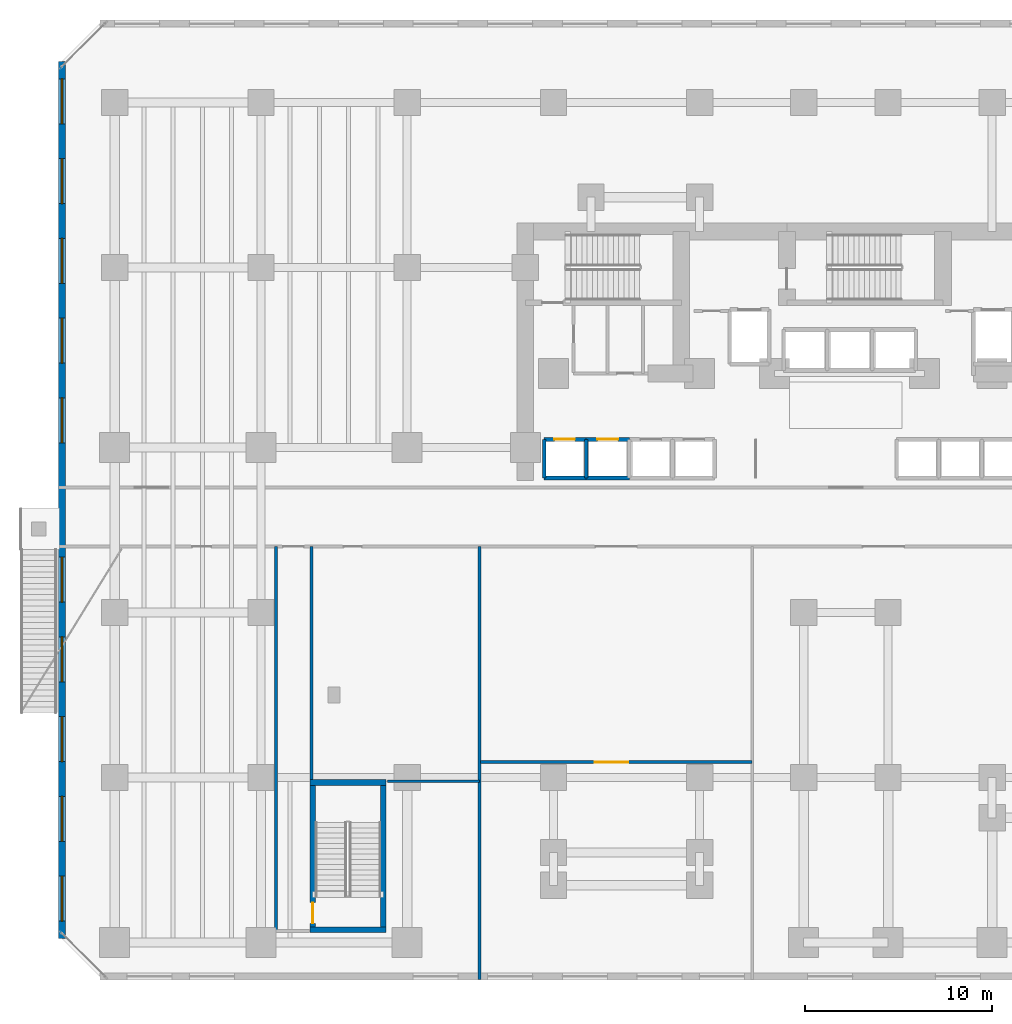
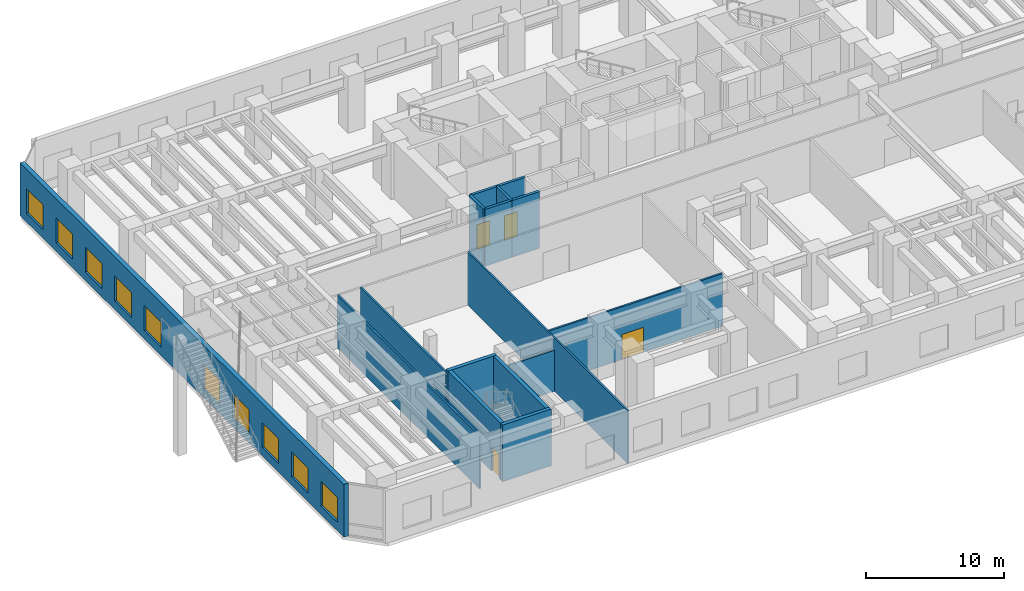
# One storey, part 10 of 19: 16 walls, 10 windows, 4 doors, 14 openings.
"""IFC4 building model written with IfcOpenShell, lengths in metres."""

from ifc_helpers import new_model, si_unit, direction, frame, frame_2d, origin, place, context, subcontext, project, spatial, rectangle, extrude, material, layer, layer_set, type_object, element, fill, save


model = new_model("IFC4")

# Units and contexts
model_context = context("Model", 3, precision=1e-05, world=origin(), true_north=direction((0.0, 1.0)))
body_context = subcontext(model_context, "Body", "Model", "MODEL_VIEW")
ifc_project = project(units=[si_unit("LENGTHUNIT", "METRE"), si_unit("AREAUNIT", "SQUARE_METRE"), si_unit("VOLUMEUNIT", "CUBIC_METRE"), si_unit("PLANEANGLEUNIT", "RADIAN"), si_unit("MASSUNIT", "GRAM", prefix="KILO")], contexts=[model_context])

# Site, building, storey
site_placement = place(None, origin())
site = spatial("IfcSite", under=ifc_project, at=site_placement, CompositionType="ELEMENT")
building_placement = place(site_placement, origin())
building = spatial("IfcBuilding", under=site, at=building_placement, Name="Kestravale Grand Hotel", CompositionType="ELEMENT")
storey_placement = place(building_placement, frame((0.0, 0.0, 5.39990234375)))
storey = spatial("IfcBuildingStorey", under=building, at=storey_placement, Name="L01", CompositionType="ELEMENT", Elevation=5.39990234375)

# Wall, openings, windows
ifc_material_1 = material(Name="Precast concrete f'c 45 MPa", Category="concrete")
ifc_layer_1 = layer(ifc_material_1, 0.3798828125)
ifc_layer_set_1 = layer_set([ifc_layer_1], Name="EW-POD-380")
wall_type_1 = type_object("IfcWallType", Name="EW-POD-380", PredefinedType="SOLIDWALL", material=ifc_layer_set_1)
wall_1_placement = place(storey_placement, frame((-2.81005859375, 49.389892578125, 0.0), z_axis=(0.0, 0.0, 1.0), x_axis=(0.0, -1.0, 0.0)))
wall_1 = element("IfcWall", 1, at=wall_1_placement, inside=storey, type_object=wall_type_1, Name="L01 fluted precast facade wall 7", PredefinedType="SOLIDWALL", context=body_context, shape_type="SweptSolid", body=[
    extrude(rectangle(XDim=46.77978515625, YDim=0.3798828125, at=frame_2d((23.389892578125, 0.0))), origin(), (0.0, 0.0, 1.0), 4.650146484375),
])
opening_1_placement = place(wall_1_placement, frame((0.926513671875, 0.0, 0.75)))
opening_1 = element("IfcOpeningElement", 2, at=opening_1_placement, cuts=wall_1, Name="Opening W-POD-2400", PredefinedType="OPENING", context=body_context, shape_type="SweptSolid", body=[
    extrude(rectangle(XDim=2.39990234375, YDim=2.199951171875, at=frame_2d((1.199951171875, 1.10009765625))), frame((0.0, 0.199951171875, 0.0), z_axis=(0.0, -1.0, 0.0), x_axis=(1.0, 0.0, 0.0)), (0.0, 0.0, 1.0), 0.39990234375),
])
opening_2_placement = place(wall_1_placement, frame((5.17919921875, 0.0, 0.75)))
opening_2 = element("IfcOpeningElement", 3, at=opening_2_placement, cuts=wall_1, Name="Opening W-POD-2400", PredefinedType="OPENING", context=body_context, shape_type="SweptSolid", body=[
    extrude(rectangle(XDim=2.39990234375, YDim=2.199951171875, at=frame_2d((1.199951171875, 1.10009765625))), frame((0.0, 0.199951171875, 0.0), z_axis=(0.0, -1.0, 0.0), x_axis=(1.0, 0.0, 0.0)), (0.0, 0.0, 1.0), 0.39990234375),
])
opening_3_placement = place(wall_1_placement, frame((9.431884765625, 0.0, 0.75)))
opening_3 = element("IfcOpeningElement", 4, at=opening_3_placement, cuts=wall_1, Name="Opening W-POD-2400", PredefinedType="OPENING", context=body_context, shape_type="SweptSolid", body=[
    extrude(rectangle(XDim=2.39990234375, YDim=2.199951171875, at=frame_2d((1.199951171875, 1.10009765625))), frame((0.0, 0.199951171875, 0.0), z_axis=(0.0, -1.0, 0.0), x_axis=(1.0, 0.0, 0.0)), (0.0, 0.0, 1.0), 0.39990234375),
])
opening_4_placement = place(wall_1_placement, frame((13.6845703125, 0.0, 0.75)))
opening_4 = element("IfcOpeningElement", 5, at=opening_4_placement, cuts=wall_1, Name="Opening W-POD-2400", PredefinedType="OPENING", context=body_context, shape_type="SweptSolid", body=[
    extrude(rectangle(XDim=2.39990234375, YDim=2.199951171875, at=frame_2d((1.199951171875, 1.10009765625))), frame((0.0, 0.199951171875, 0.0), z_axis=(0.0, -1.0, 0.0), x_axis=(1.0, 0.0, 0.0)), (0.0, 0.0, 1.0), 0.39990234375),
])
opening_5_placement = place(wall_1_placement, frame((17.937255859375, 0.0, 0.75)))
opening_5 = element("IfcOpeningElement", 6, at=opening_5_placement, cuts=wall_1, Name="Opening W-POD-2400", PredefinedType="OPENING", context=body_context, shape_type="SweptSolid", body=[
    extrude(rectangle(XDim=2.39990234375, YDim=2.199951171875, at=frame_2d((1.199951171875, 1.10009765625))), frame((0.0, 0.199951171875, 0.0), z_axis=(0.0, -1.0, 0.0), x_axis=(1.0, 0.0, 0.0)), (0.0, 0.0, 1.0), 0.39990234375),
])
opening_6_placement = place(wall_1_placement, frame((26.442626953125, 0.0, 0.75)))
opening_6 = element("IfcOpeningElement", 7, at=opening_6_placement, cuts=wall_1, Name="Opening W-POD-2400", PredefinedType="OPENING", context=body_context, shape_type="SweptSolid", body=[
    extrude(rectangle(XDim=2.39990234375, YDim=2.199951171875, at=frame_2d((1.199951171875, 1.10009765625))), frame((0.0, 0.199951171875, 0.0), z_axis=(0.0, -1.0, 0.0), x_axis=(1.0, 0.0, 0.0)), (0.0, 0.0, 1.0), 0.39990234375),
])
opening_7_placement = place(wall_1_placement, frame((30.695556640625, 0.0, 0.75)))
opening_7 = element("IfcOpeningElement", 8, at=opening_7_placement, cuts=wall_1, Name="Opening W-POD-2400", PredefinedType="OPENING", context=body_context, shape_type="SweptSolid", body=[
    extrude(rectangle(XDim=2.39990234375, YDim=2.199951171875, at=frame_2d((1.199951171875, 1.10009765625))), frame((0.0, 0.199951171875, 0.0), z_axis=(0.0, -1.0, 0.0), x_axis=(1.0, 0.0, 0.0)), (0.0, 0.0, 1.0), 0.39990234375),
])
opening_8_placement = place(wall_1_placement, frame((34.9482421875, 0.0, 0.75)))
opening_8 = element("IfcOpeningElement", 9, at=opening_8_placement, cuts=wall_1, Name="Opening W-POD-2400", PredefinedType="OPENING", context=body_context, shape_type="SweptSolid", body=[
    extrude(rectangle(XDim=2.39990234375, YDim=2.199951171875, at=frame_2d((1.199951171875, 1.10009765625))), frame((0.0, 0.199951171875, 0.0), z_axis=(0.0, -1.0, 0.0), x_axis=(1.0, 0.0, 0.0)), (0.0, 0.0, 1.0), 0.39990234375),
])
opening_9_placement = place(wall_1_placement, frame((39.200927734375, 0.0, 0.75)))
opening_9 = element("IfcOpeningElement", 10, at=opening_9_placement, cuts=wall_1, Name="Opening W-POD-2400", PredefinedType="OPENING", context=body_context, shape_type="SweptSolid", body=[
    extrude(rectangle(XDim=2.39990234375, YDim=2.199951171875, at=frame_2d((1.199951171875, 1.10009765625))), frame((0.0, 0.199951171875, 0.0), z_axis=(0.0, -1.0, 0.0), x_axis=(1.0, 0.0, 0.0)), (0.0, 0.0, 1.0), 0.39990234375),
])
opening_10_placement = place(wall_1_placement, frame((43.45361328125, 0.0, 0.75)))
opening_10 = element("IfcOpeningElement", 11, at=opening_10_placement, cuts=wall_1, Name="Opening W-POD-2400", PredefinedType="OPENING", context=body_context, shape_type="SweptSolid", body=[
    extrude(rectangle(XDim=2.39990234375, YDim=2.199951171875, at=frame_2d((1.199951171875, 1.10009765625))), frame((0.0, 0.199951171875, 0.0), z_axis=(0.0, -1.0, 0.0), x_axis=(1.0, 0.0, 0.0)), (0.0, 0.0, 1.0), 0.39990234375),
])
ifc_material_2 = material(Name="Insulated low-E double glazing in aluminium frame", Category="aluminium")
window_type = type_object("IfcWindowType", Name="W-POD-2400", PartitioningType="DOUBLE_PANEL_VERTICAL", PredefinedType="WINDOW", material=ifc_material_2)
window_1_placement = place(opening_1_placement, origin())
window_1 = element("IfcWindow", 12, at=window_1_placement, inside=storey, type_object=window_type, Name="L01 exterior window 7.1", OverallHeight=2.199951171875, OverallWidth=2.39990234375, PartitioningType="SINGLE_PANEL", PredefinedType="WINDOW", context=body_context, shape_type="SweptSolid", body=[
    extrude(rectangle(XDim=2.39990234375, YDim=2.199951171875, at=frame_2d((1.199951171875, 1.10009765625))), frame((0.0, 0.030029296875, 0.0), z_axis=(0.0, -1.0, 0.0), x_axis=(1.0, 0.0, 0.0)), (0.0, 0.0, 1.0), 0.06005859375),
])
fill(opening_1, window_1)
window_2_placement = place(opening_2_placement, origin())
window_2 = element("IfcWindow", 13, at=window_2_placement, inside=storey, type_object=window_type, Name="L01 exterior window 7.2", OverallHeight=2.199951171875, OverallWidth=2.39990234375, PartitioningType="SINGLE_PANEL", PredefinedType="WINDOW", context=body_context, shape_type="SweptSolid", body=[
    extrude(rectangle(XDim=2.39990234375, YDim=2.199951171875, at=frame_2d((1.199951171875, 1.10009765625))), frame((0.0, 0.030029296875, 0.0), z_axis=(0.0, -1.0, 0.0), x_axis=(1.0, 0.0, 0.0)), (0.0, 0.0, 1.0), 0.06005859375),
])
fill(opening_2, window_2)
window_3_placement = place(opening_3_placement, origin())
window_3 = element("IfcWindow", 14, at=window_3_placement, inside=storey, type_object=window_type, Name="L01 exterior window 7.3", OverallHeight=2.199951171875, OverallWidth=2.39990234375, PartitioningType="SINGLE_PANEL", PredefinedType="WINDOW", context=body_context, shape_type="SweptSolid", body=[
    extrude(rectangle(XDim=2.39990234375, YDim=2.199951171875, at=frame_2d((1.199951171875, 1.10009765625))), frame((0.0, 0.030029296875, 0.0), z_axis=(0.0, -1.0, 0.0), x_axis=(1.0, 0.0, 0.0)), (0.0, 0.0, 1.0), 0.06005859375),
])
fill(opening_3, window_3)
window_4_placement = place(opening_4_placement, origin())
window_4 = element("IfcWindow", 15, at=window_4_placement, inside=storey, type_object=window_type, Name="L01 exterior window 7.4", OverallHeight=2.199951171875, OverallWidth=2.39990234375, PartitioningType="SINGLE_PANEL", PredefinedType="WINDOW", context=body_context, shape_type="SweptSolid", body=[
    extrude(rectangle(XDim=2.39990234375, YDim=2.199951171875, at=frame_2d((1.199951171875, 1.10009765625))), frame((0.0, 0.030029296875, 0.0), z_axis=(0.0, -1.0, 0.0), x_axis=(1.0, 0.0, 0.0)), (0.0, 0.0, 1.0), 0.06005859375),
])
fill(opening_4, window_4)
window_5_placement = place(opening_5_placement, origin())
window_5 = element("IfcWindow", 16, at=window_5_placement, inside=storey, type_object=window_type, Name="L01 exterior window 7.5", OverallHeight=2.199951171875, OverallWidth=2.39990234375, PartitioningType="SINGLE_PANEL", PredefinedType="WINDOW", context=body_context, shape_type="SweptSolid", body=[
    extrude(rectangle(XDim=2.39990234375, YDim=2.199951171875, at=frame_2d((1.199951171875, 1.10009765625))), frame((0.0, 0.030029296875, 0.0), z_axis=(0.0, -1.0, 0.0), x_axis=(1.0, 0.0, 0.0)), (0.0, 0.0, 1.0), 0.06005859375),
])
fill(opening_5, window_5)
window_6_placement = place(opening_6_placement, origin())
window_6 = element("IfcWindow", 17, at=window_6_placement, inside=storey, type_object=window_type, Name="L01 exterior window 7.6", OverallHeight=2.199951171875, OverallWidth=2.39990234375, PartitioningType="SINGLE_PANEL", PredefinedType="WINDOW", context=body_context, shape_type="SweptSolid", body=[
    extrude(rectangle(XDim=2.39990234375, YDim=2.199951171875, at=frame_2d((1.199951171875, 1.10009765625))), frame((0.0, 0.030029296875, 0.0), z_axis=(0.0, -1.0, 0.0), x_axis=(1.0, 0.0, 0.0)), (0.0, 0.0, 1.0), 0.06005859375),
])
fill(opening_6, window_6)
window_7_placement = place(opening_7_placement, origin())
window_7 = element("IfcWindow", 18, at=window_7_placement, inside=storey, type_object=window_type, Name="L01 exterior window 7.7", OverallHeight=2.199951171875, OverallWidth=2.39990234375, PartitioningType="SINGLE_PANEL", PredefinedType="WINDOW", context=body_context, shape_type="SweptSolid", body=[
    extrude(rectangle(XDim=2.39990234375, YDim=2.199951171875, at=frame_2d((1.199951171875, 1.10009765625))), frame((0.0, 0.030029296875, 0.0), z_axis=(0.0, -1.0, 0.0), x_axis=(1.0, 0.0, 0.0)), (0.0, 0.0, 1.0), 0.06005859375),
])
fill(opening_7, window_7)
window_8_placement = place(opening_8_placement, origin())
window_8 = element("IfcWindow", 19, at=window_8_placement, inside=storey, type_object=window_type, Name="L01 exterior window 7.8", OverallHeight=2.199951171875, OverallWidth=2.39990234375, PartitioningType="SINGLE_PANEL", PredefinedType="WINDOW", context=body_context, shape_type="SweptSolid", body=[
    extrude(rectangle(XDim=2.39990234375, YDim=2.199951171875, at=frame_2d((1.199951171875, 1.10009765625))), frame((0.0, 0.030029296875, 0.0), z_axis=(0.0, -1.0, 0.0), x_axis=(1.0, 0.0, 0.0)), (0.0, 0.0, 1.0), 0.06005859375),
])
fill(opening_8, window_8)
window_9_placement = place(opening_9_placement, origin())
window_9 = element("IfcWindow", 20, at=window_9_placement, inside=storey, type_object=window_type, Name="L01 exterior window 7.9", OverallHeight=2.199951171875, OverallWidth=2.39990234375, PartitioningType="SINGLE_PANEL", PredefinedType="WINDOW", context=body_context, shape_type="SweptSolid", body=[
    extrude(rectangle(XDim=2.39990234375, YDim=2.199951171875, at=frame_2d((1.199951171875, 1.10009765625))), frame((0.0, 0.030029296875, 0.0), z_axis=(0.0, -1.0, 0.0), x_axis=(1.0, 0.0, 0.0)), (0.0, 0.0, 1.0), 0.06005859375),
])
fill(opening_9, window_9)
window_10_placement = place(opening_10_placement, origin())
window_10 = element("IfcWindow", 21, at=window_10_placement, inside=storey, type_object=window_type, Name="L01 exterior window 7.10", OverallHeight=2.199951171875, OverallWidth=2.39990234375, PartitioningType="SINGLE_PANEL", PredefinedType="WINDOW", context=body_context, shape_type="SweptSolid", body=[
    extrude(rectangle(XDim=2.39990234375, YDim=2.199951171875, at=frame_2d((1.199951171875, 1.10009765625))), frame((0.0, 0.030029296875, 0.0), z_axis=(0.0, -1.0, 0.0), x_axis=(1.0, 0.0, 0.0)), (0.0, 0.0, 1.0), 0.06005859375),
])
fill(opening_10, window_10)

# Wall, opening, door
ifc_material_3 = material(Name="Concrete f'c 45 MPa", Category="concrete")
ifc_layer_2 = layer(ifc_material_3, 0.300048828125)
ifc_layer_set_2 = layer_set([ifc_layer_2], Name="EW-STAIR-300")
wall_type_2 = type_object("IfcWallType", Name="EW-STAIR-300", PredefinedType="SHEAR", material=ifc_layer_set_2)
wall_2_placement = place(storey_placement, frame((10.56005859375, 3.070068359375, 0.0), z_axis=(0.0, 0.0, 1.0), x_axis=(0.0, 1.0, 0.0)))
wall_2 = element("IfcWall", 22, at=wall_2_placement, inside=storey, type_object=wall_type_2, Name="L01 stair enclosure shear wall ST4W", PredefinedType="SHEAR", context=body_context, shape_type="SweptSolid", body=[
    extrude(rectangle(XDim=7.85986328125, YDim=0.300048828125, at=frame_2d((3.929931640625, 0.0))), origin(), (0.0, 0.0, 1.0), 5.0),
])
opening_11_placement = place(wall_2_placement, frame((0.35009765625, 0.0, 0.0)))
opening_11 = element("IfcOpeningElement", 23, at=opening_11_placement, cuts=wall_2, Name="Opening D-ST-1100", PredefinedType="OPENING", context=body_context, shape_type="SweptSolid", body=[
    extrude(rectangle(XDim=1.10009765625, YDim=2.14990234375, at=frame_2d((0.550048828125, 1.074951171875))), frame((0.0, 0.159912109375, 0.0), z_axis=(0.0, -1.0, 0.0), x_axis=(1.0, 0.0, 0.0)), (0.0, 0.0, 1.0), 0.320068359375),
])
ifc_material_4 = material(Name="Galvanised 90-minute fire-rated steel stair door", Category="steel")
door_type_1 = type_object("IfcDoorType", Name="D-ST-1100", OperationType="NOTDEFINED", PredefinedType="DOOR", material=ifc_material_4)
door_1_placement = place(opening_11_placement, origin())
door_1 = element("IfcDoor", 24, at=door_1_placement, inside=storey, type_object=door_type_1, Name="L01 Stair ST-4 fire door", OperationType="SINGLE_SWING_LEFT", OverallHeight=2.14990234375, OverallWidth=1.10009765625, PredefinedType="DOOR", context=body_context, shape_type="SweptSolid", body=[
    extrude(rectangle(XDim=1.10009765625, YDim=2.14990234375, at=frame_2d((0.550048828125, 1.074951171875))), frame((0.0, 0.02490234375, 0.0), z_axis=(0.0, -1.0, 0.0), x_axis=(1.0, 0.0, 0.0)), (0.0, 0.0, 1.0), 0.050048828125),
])
fill(opening_11, door_1)

# Walls
wall_3_placement = place(storey_placement, frame((14.330078125, 3.070068359375, 0.0), z_axis=(0.0, 0.0, 1.0), x_axis=(0.0, 1.0, 0.0)))
element("IfcWall", 25, at=wall_3_placement, inside=storey, type_object=wall_type_2, Name="L01 stair enclosure shear wall ST4E", PredefinedType="SHEAR", context=body_context, shape_type="SweptSolid", body=[
    extrude(rectangle(XDim=7.85986328125, YDim=0.300048828125, at=frame_2d((3.929931640625, 0.0))), origin(), (0.0, 0.0, 1.0), 5.0),
])
for number, where, z_axis, x_axis, name in (
    (26, (10.409912109375, 10.929931640625, 0.0), (0.0, 0.0, 1.0), (1.0, 0.0, 0.0), "L01 stair enclosure shear wall ST4N"),
    (27, (10.409912109375, 3.070068359375, 0.0), (0.0, 0.0, 1.0), (1.0, 0.0, 0.0), "L01 stair enclosure shear wall ST4S"),
):
    element("IfcWall", number, at=place(storey_placement, frame(where, z_axis=z_axis, x_axis=x_axis)), inside=storey, type_object=wall_type_2, Name=name, PredefinedType="SHEAR", context=body_context, shape_type="SweptSolid", body=[
        extrude(rectangle(XDim=4.070068359375, YDim=0.300048828125, at=frame_2d((2.03515625, 0.0))), origin(), (0.0, 0.0, 1.0), 5.0),
    ])
ifc_material_5 = material(Name="Acoustic fire-rated gypsum board partition", Category="other")
ifc_layer_3 = layer(ifc_material_5, 0.159912109375)
ifc_layer_set_3 = layer_set([ifc_layer_3], Name="IW-CORR-160")
wall_type_3 = type_object("IfcWallType", Name="IW-CORR-160", PredefinedType="PARTITIONING", material=ifc_layer_set_3)
wall_4_placement = place(storey_placement, frame((8.60009765625, 3.0, 0.0), z_axis=(0.0, 0.0, 1.0), x_axis=(0.0, 1.0, 0.0)))
element("IfcWall", 28, at=wall_4_placement, inside=storey, type_object=wall_type_3, Name="W-L01-ST4C-W", PredefinedType="PARTITIONING", context=body_context, shape_type="SweptSolid", body=[
    extrude(rectangle(XDim=20.52001953125, YDim=0.159912109375, at=frame_2d((10.260009765625, 0.0))), origin(), (0.0, 0.0, 1.0), 4.650146484375),
])
wall_5_placement = place(storey_placement, frame((10.5, 10.949951171875, 0.0), z_axis=(0.0, 0.0, 1.0), x_axis=(0.0, 1.0, 0.0)))
element("IfcWall", 29, at=wall_5_placement, inside=storey, type_object=wall_type_3, Name="W-L01-ST4C-E", PredefinedType="PARTITIONING", context=body_context, shape_type="SweptSolid", body=[
    extrude(rectangle(XDim=12.570068359375, YDim=0.159912109375, at=frame_2d((6.28515625, 0.0))), origin(), (0.0, 0.0, 1.0), 4.650146484375),
])
ifc_material_6 = material(Name="Concrete f'c 45 MPa", Category="concrete")
ifc_layer_4 = layer(ifc_material_6, 0.199951171875)
ifc_layer_set_4 = layer_set([ifc_layer_4], Name="IW-SHAFT-200")
wall_type_4 = type_object("IfcWallType", Name="IW-SHAFT-200", PredefinedType="SHEAR", material=ifc_layer_set_4)
for number, where, z_axis, x_axis, name in (
    (30, (22.905029296875, 27.169921875, 0.0), (0.0, 0.0, 1.0), (0.0, 1.0, 0.0), "L01 PL-L1 west shaft wall"),
    (31, (25.14990234375, 27.169921875, 0.0), (0.0, 0.0, 1.0), (0.0, 1.0, 0.0), "L01 PL-L2 west shaft wall"),
):
    element("IfcWall", number, at=place(storey_placement, frame(where, z_axis=z_axis, x_axis=x_axis)), inside=storey, type_object=wall_type_4, Name=name, PredefinedType="SHEAR", context=body_context, shape_type="SweptSolid", body=[
        extrude(rectangle(XDim=2.06005859375, YDim=0.199951171875, at=frame_2d((1.030029296875, 0.0))), origin(), (0.0, 0.0, 1.0), 5.0),
    ])

# Wall, opening, door
ifc_material_7 = material(Name="Concrete f'c 45 MPa", Category="concrete")
ifc_layer_5 = layer(ifc_material_7, 0.219970703125)
ifc_layer_set_5 = layer_set([ifc_layer_5], Name="IW-SHAFT-220")
wall_type_5 = type_object("IfcWallType", Name="IW-SHAFT-220", PredefinedType="SHEAR", material=ifc_layer_set_5)
wall_6_placement = place(storey_placement, frame((22.905029296875, 29.22998046875, 0.0), z_axis=(0.0, 0.0, 1.0), x_axis=(1.0, 0.0, 0.0)))
wall_6 = element("IfcWall", 32, at=wall_6_placement, inside=storey, type_object=wall_type_5, Name="L01 PL-L1 north shaft wall", PredefinedType="SHEAR", context=body_context, shape_type="SweptSolid", body=[
    extrude(rectangle(XDim=2.244873046875, YDim=0.219970703125, at=frame_2d((1.12255859375, 0.0))), origin(), (0.0, 0.0, 1.0), 5.0),
])
opening_12_placement = place(wall_6_placement, frame((0.544921875, 0.0, 0.0)))
opening_12 = element("IfcOpeningElement", 33, at=opening_12_placement, cuts=wall_6, Name="Opening LD-PAX-1100", PredefinedType="OPENING", context=body_context, shape_type="SweptSolid", body=[
    extrude(rectangle(XDim=1.10009765625, YDim=2.14990234375, at=frame_2d((0.550048828125, 1.074951171875))), frame((0.0, 0.119873046875, 0.0), z_axis=(0.0, -1.0, 0.0), x_axis=(1.0, 0.0, 0.0)), (0.0, 0.0, 1.0), 0.239990234375),
])
ifc_material_8 = material(Name="Champagne-bronze center-opening sliding elevator landing door", Category="steel")
door_type_2 = type_object("IfcDoorType", Name="LD-PAX-1100", OperationType="NOTDEFINED", PredefinedType="DOOR", material=ifc_material_8)
door_2_placement = place(opening_12_placement, origin())
door_2 = element("IfcDoor", 34, at=door_2_placement, inside=storey, type_object=door_type_2, Name="L01 PL-L1 elevator landing sliding door", OperationType="DOUBLE_DOOR_SLIDING", OverallHeight=2.14990234375, OverallWidth=1.10009765625, PredefinedType="DOOR", context=body_context, shape_type="SweptSolid", body=[
    extrude(rectangle(XDim=1.10009765625, YDim=2.14990234375, at=frame_2d((0.550048828125, 1.074951171875))), frame((0.0, 0.02490234375, 0.0), z_axis=(0.0, -1.0, 0.0), x_axis=(1.0, 0.0, 0.0)), (0.0, 0.0, 1.0), 0.050048828125),
])
fill(opening_12, door_2)

# Wall
wall_7_placement = place(storey_placement, frame((22.905029296875, 27.169921875, 0.0), z_axis=(0.0, 0.0, 1.0), x_axis=(1.0, 0.0, 0.0)))
element("IfcWall", 35, at=wall_7_placement, inside=storey, type_object=wall_type_5, Name="L01 PL-L1 south shaft wall", PredefinedType="SHEAR", context=body_context, shape_type="SweptSolid", body=[
    extrude(rectangle(XDim=2.244873046875, YDim=0.219970703125, at=frame_2d((1.12255859375, 0.0))), origin(), (0.0, 0.0, 1.0), 5.0),
])

# Wall, opening, door
wall_8_placement = place(storey_placement, frame((25.14990234375, 29.22998046875, 0.0), z_axis=(0.0, 0.0, 1.0), x_axis=(1.0, 0.0, 0.0)))
wall_8 = element("IfcWall", 36, at=wall_8_placement, inside=storey, type_object=wall_type_5, Name="L01 PL-L2 north shaft wall", PredefinedType="SHEAR", context=body_context, shape_type="SweptSolid", body=[
    extrude(rectangle(XDim=2.300048828125, YDim=0.219970703125, at=frame_2d((1.14990234375, 0.0))), origin(), (0.0, 0.0, 1.0), 5.0),
])
opening_13_placement = place(wall_8_placement, frame((0.60009765625, 0.0, 0.0)))
opening_13 = element("IfcOpeningElement", 37, at=opening_13_placement, cuts=wall_8, Name="Opening LD-PAX-1100", PredefinedType="OPENING", context=body_context, shape_type="SweptSolid", body=[
    extrude(rectangle(XDim=1.10009765625, YDim=2.14990234375, at=frame_2d((0.550048828125, 1.074951171875))), frame((0.0, 0.119873046875, 0.0), z_axis=(0.0, -1.0, 0.0), x_axis=(1.0, 0.0, 0.0)), (0.0, 0.0, 1.0), 0.239990234375),
])
door_3_placement = place(opening_13_placement, origin())
door_3 = element("IfcDoor", 38, at=door_3_placement, inside=storey, type_object=door_type_2, Name="L01 PL-L2 elevator landing sliding door", OperationType="DOUBLE_DOOR_SLIDING", OverallHeight=2.14990234375, OverallWidth=1.10009765625, PredefinedType="DOOR", context=body_context, shape_type="SweptSolid", body=[
    extrude(rectangle(XDim=1.10009765625, YDim=2.14990234375, at=frame_2d((0.550048828125, 1.074951171875))), frame((0.0, 0.02490234375, 0.0), z_axis=(0.0, -1.0, 0.0), x_axis=(1.0, 0.0, 0.0)), (0.0, 0.0, 1.0), 0.050048828125),
])
fill(opening_13, door_3)

# Walls
wall_9_placement = place(storey_placement, frame((25.14990234375, 27.169921875, 0.0), z_axis=(0.0, 0.0, 1.0), x_axis=(1.0, 0.0, 0.0)))
element("IfcWall", 39, at=wall_9_placement, inside=storey, type_object=wall_type_5, Name="L01 PL-L2 south shaft wall", PredefinedType="SHEAR", context=body_context, shape_type="SweptSolid", body=[
    extrude(rectangle(XDim=2.300048828125, YDim=0.219970703125, at=frame_2d((1.14990234375, 0.0))), origin(), (0.0, 0.0, 1.0), 5.0),
])
ifc_material_9 = material(Name="Double-stud STC 52 acoustic demising partition", Category="other")
ifc_layer_6 = layer(ifc_material_9, 0.14990234375)
ifc_layer_set_6 = layer_set([ifc_layer_6], Name="IW-UNIT-150")
wall_type_6 = type_object("IfcWallType", Name="IW-UNIT-150", PredefinedType="PARTITIONING", material=ifc_layer_set_6)
wall_10_placement = place(storey_placement, frame((14.550048828125, 11.0, 0.0), z_axis=(0.0, 0.0, 1.0), x_axis=(1.0, 0.0, 0.0)))
element("IfcWall", 40, at=wall_10_placement, inside=storey, type_object=wall_type_6, Name="W-L01-MTG-S", PredefinedType="PARTITIONING", context=body_context, shape_type="SweptSolid", body=[
    extrude(rectangle(XDim=4.89990234375, YDim=0.14990234375, at=frame_2d((2.449951171875, 0.0))), origin(), (0.0, 0.0, 1.0), 3.610107421875),
])
wall_11_placement = place(storey_placement, frame((19.449951171875, 0.419921875, 0.0), z_axis=(0.0, 0.0, 1.0), x_axis=(0.0, 1.0, 0.0)))
element("IfcWall", 41, at=wall_11_placement, inside=storey, type_object=wall_type_6, Name="W-L01-MTG-E", PredefinedType="PARTITIONING", context=body_context, shape_type="SweptSolid", body=[
    extrude(rectangle(XDim=23.10009765625, YDim=0.14990234375, at=frame_2d((11.550048828125, 0.0))), origin(), (0.0, 0.0, 1.0), 4.650146484375),
])

# Wall, opening, door
wall_12_placement = place(storey_placement, frame((19.5, 12.02001953125, 0.0), z_axis=(0.0, 0.0, 1.0), x_axis=(1.0, 0.0, 0.0)))
wall_12 = element("IfcWall", 42, at=wall_12_placement, inside=storey, type_object=wall_type_6, Name="W-L01-PREP-N", PredefinedType="PARTITIONING", context=body_context, shape_type="SweptSolid", body=[
    extrude(rectangle(XDim=14.5, YDim=0.14990234375, at=frame_2d((7.25, 0.0))), origin(), (0.0, 0.0, 1.0), 4.650146484375),
])
opening_14_placement = place(wall_12_placement, frame((6.10009765625, 0.0, 0.0)))
opening_14 = element("IfcOpeningElement", 43, at=opening_14_placement, cuts=wall_12, Name="Opening D-CORR-1800", PredefinedType="OPENING", context=body_context, shape_type="SweptSolid", body=[
    extrude(rectangle(XDim=1.800048828125, YDim=2.199951171875, at=frame_2d((0.89990234375, 1.10009765625))), frame((0.0, 0.0849609375, 0.0), z_axis=(0.0, -1.0, 0.0), x_axis=(1.0, 0.0, 0.0)), (0.0, 0.0, 1.0), 0.169921875),
])
ifc_material_10 = material(Name="Double-leaf glazed bronze acoustic corridor fire door", Category="aluminium")
door_type_3 = type_object("IfcDoorType", Name="D-CORR-1800", OperationType="NOTDEFINED", PredefinedType="DOOR", material=ifc_material_10)
door_4_placement = place(opening_14_placement, origin())
door_4 = element("IfcDoor", 44, at=door_4_placement, inside=storey, type_object=door_type_3, Name="D-L01-PREP", OperationType="DOUBLE_DOOR_SINGLE_SWING", OverallHeight=2.199951171875, OverallWidth=1.800048828125, PredefinedType="DOOR", context=body_context, shape_type="SweptSolid", body=[
    extrude(rectangle(XDim=1.800048828125, YDim=2.199951171875, at=frame_2d((0.89990234375, 1.10009765625))), frame((0.0, 0.02490234375, 0.0), z_axis=(0.0, -1.0, 0.0), x_axis=(1.0, 0.0, 0.0)), (0.0, 0.0, 1.0), 0.050048828125),
])
fill(opening_14, door_4)

save(model, "model.ifc")
